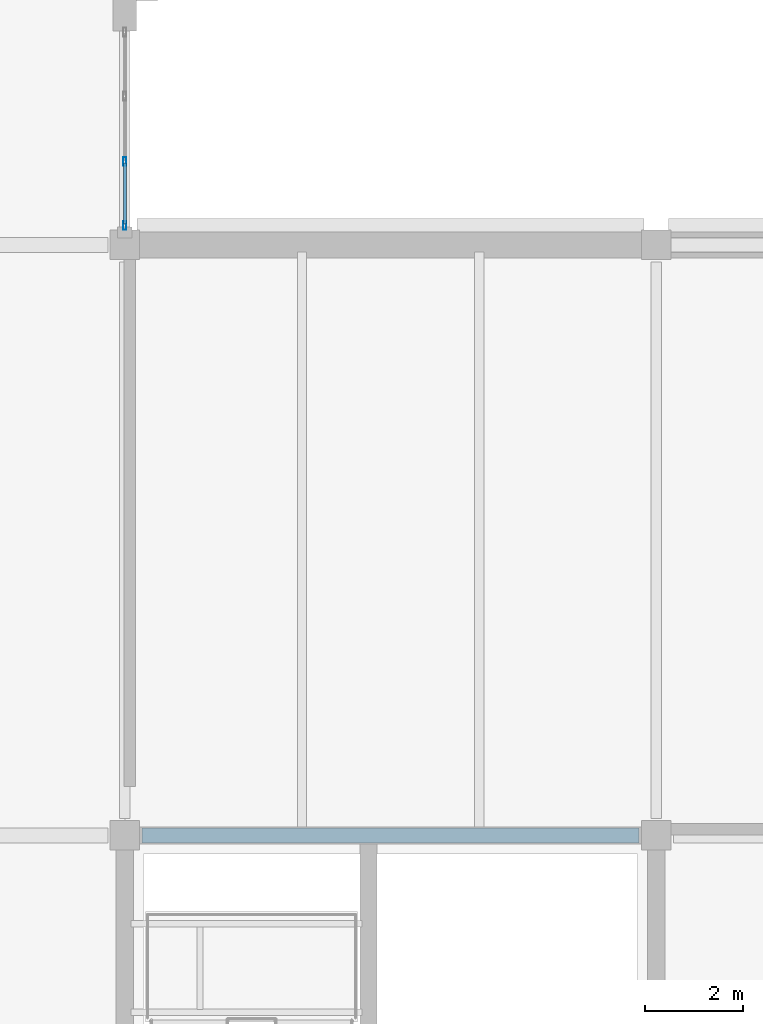
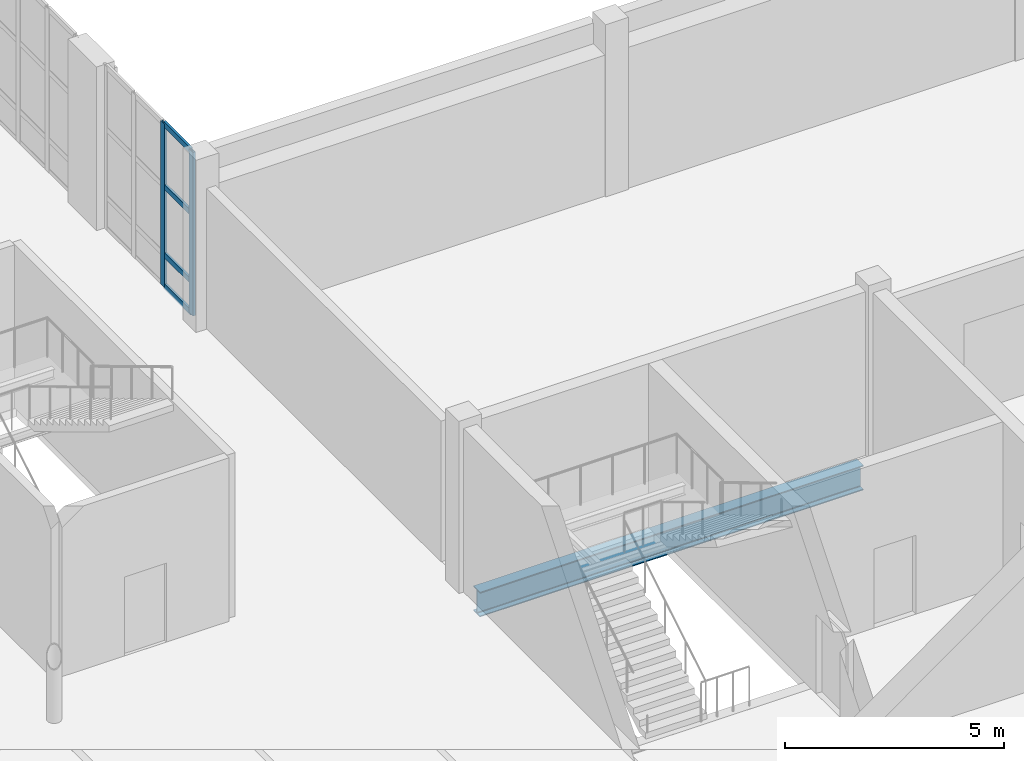
# One storey, part 36 of 100: 6 members, 1 beam, 1 element without a shape of its own.
"""IFC4 building model written with IfcOpenShell, lengths in metres."""

from ifc_helpers import new_model, si_unit, direction, frame, origin, origin_2d, place, context, subcontext, project, spatial, hollow_rectangle, i_section, extrude, material, layer, layer_set, material_profile, profile_set, type_object, element, aggregate, save


model = new_model("IFC4")

# Units and contexts
model_context = context("Model", 3, precision=1e-05, world=origin(), true_north=direction((0.0, 1.0)))
body_context = subcontext(model_context, "Body", "Model", "MODEL_VIEW")
ifc_project = project(units=[si_unit("LENGTHUNIT", "METRE"), si_unit("AREAUNIT", "SQUARE_METRE"), si_unit("VOLUMEUNIT", "CUBIC_METRE"), si_unit("PLANEANGLEUNIT", "RADIAN"), si_unit("MASSUNIT", "GRAM", prefix="KILO")], contexts=[model_context])

# Site, building, storey
site_placement = place(None, origin())
site = spatial("IfcSite", under=ifc_project, at=site_placement, CompositionType="ELEMENT")
building_placement = place(site_placement, origin())
building = spatial("IfcBuilding", under=site, at=building_placement, Name="Tasgan Crest Museum", CompositionType="ELEMENT")
storey_placement = place(building_placement, frame((0.0, 0.0, 9.60009765625)))
storey = spatial("IfcBuildingStorey", under=building, at=storey_placement, Name="L02", CompositionType="ELEMENT", Elevation=9.60009765625)

# Beam
ifc_material_1 = material(Name="Steel S355K2", Category="steel")
ifc_material_profile_1 = material_profile(ifc_material_1, i_section(OverallWidth=0.300048828125, OverallDepth=0.68994140625, WebThickness=0.014404296875, FlangeThickness=0.027099609375, FilletRadius=0.027099609375, at=origin_2d()), Name="HEA 700")
ifc_profile_set_1 = profile_set([ifc_material_profile_1], Name="Steel S355K2")
beam_type = type_object("IfcBeamType", Name="BM-G-HEA700", PredefinedType="BEAM", material=ifc_profile_set_1)
beam_placement = place(storey_placement, frame((108.345947265625, 50.0, -0.625), z_axis=(1.0, 0.0, 0.0), x_axis=(0.0, 1.0, 0.0)))
element("IfcBeam", 1, at=beam_placement, inside=storey, type_object=beam_type, Name="Girder L02 F 108.0-118.8", PredefinedType="BEAM", context=body_context, shape_type="SweptSolid", body=[
    extrude(i_section(OverallWidth=0.300048828125, OverallDepth=0.68994140625, WebThickness=0.014404296875, FlangeThickness=0.027099609375, FilletRadius=0.027099609375, at=origin_2d()), origin(), (0.0, 0.0, 1.0), 10.108154296875),
])

# Curtain wall, members
ifc_material_2 = material(Name="Triple-Glazed Aluminium Curtain Wall", Category="aluminium")
ifc_layer = layer(ifc_material_2, 0.179931640625, Name="CW-DRUM-Y10-48")
ifc_layer_set = layer_set([ifc_layer], Name="Triple-Glazed Aluminium Curtain Wall")
curtain_wall_type = type_object("IfcCurtainWallType", Name="CW-DRUM-Y10-48", PredefinedType="NOTDEFINED", material=ifc_layer_set)
curtain_wall_placement = place(storey_placement, origin())
curtain_wall = element("IfcCurtainWall", 2, at=curtain_wall_placement, inside=storey, type_object=curtain_wall_type, Name="Curtain wall L02 075", PredefinedType="NOTDEFINED")
ifc_material_3 = material(Name="Anodised Aluminium", Category="aluminium")
ifc_material_profile_2 = material_profile(ifc_material_3, hollow_rectangle(XDim=0.06494140625, YDim=0.179931640625, WallThickness=0.0048828125, at=origin_2d()), Name="ALU MULLION 180x65x5")
ifc_profile_set_2 = profile_set([ifc_material_profile_2], Name="Anodised Aluminium")
member_type_1 = type_object("IfcMemberType", Name="CW-MULLION-180", PredefinedType="MULLION", material=ifc_profile_set_2)
member_1_placement = place(storey_placement, frame((108.0, 62.39501953125, 0.0), z_axis=(0.0, 0.0, 1.0), x_axis=(-1.0, 0.0, 0.0)))
member_1 = element("IfcMember", 3, at=member_1_placement, type_object=member_type_1, Name="CW04 mullion 1", PredefinedType="MULLION", context=body_context, shape_type="SweptSolid", body=[
    extrude(hollow_rectangle(XDim=0.06494140625, YDim=0.179931640625, WallThickness=0.0048828125, at=origin_2d()), origin(), (0.0, 0.0, 1.0), 4.559814453125),
])
member_2_placement = place(storey_placement, frame((108.0, 63.695068359375, 0.0), z_axis=(0.0, 0.0, 1.0), x_axis=(-1.0, 0.0, 0.0)))
member_2 = element("IfcMember", 4, at=member_2_placement, type_object=member_type_1, Name="CW04 mullion 2", PredefinedType="MULLION", context=body_context, shape_type="SweptSolid", body=[
    extrude(hollow_rectangle(XDim=0.06494140625, YDim=0.179931640625, WallThickness=0.0048828125, at=origin_2d()), origin(), (0.0, 0.0, 1.0), 4.559814453125),
])
ifc_material_4 = material(Name="Anodised Aluminium", Category="aluminium")
ifc_material_profile_3 = material_profile(ifc_material_4, hollow_rectangle(XDim=0.06005859375, YDim=0.14990234375, WallThickness=0.0048828125, at=origin_2d()), Name="ALU TRANSOM 150x60x5")
ifc_profile_set_3 = profile_set([ifc_material_profile_3], Name="Anodised Aluminium")
member_type_2 = type_object("IfcMemberType", Name="CW-TRANSOM-150", PredefinedType="USERDEFINED", material=ifc_profile_set_3)
member_3_placement = place(storey_placement, frame((108.0, 62.425048828125, 0.02978515625), z_axis=(0.0, 1.0, 0.0), x_axis=(-1.0, 0.0, 0.0)))
member_3 = element("IfcMember", 5, at=member_3_placement, type_object=member_type_2, Name="CW04 transom 1.1", ObjectType="TRANSOM", PredefinedType="USERDEFINED", context=body_context, shape_type="SweptSolid", body=[
    extrude(hollow_rectangle(XDim=0.06005859375, YDim=0.14990234375, WallThickness=0.0048828125, at=origin_2d()), origin(), (0.0, 0.0, 1.0), 1.239990234375),
])
member_4_placement = place(storey_placement, frame((108.0, 62.425048828125, 0.89990234375), z_axis=(0.0, 1.0, 0.0), x_axis=(-1.0, 0.0, 0.0)))
member_4 = element("IfcMember", 6, at=member_4_placement, type_object=member_type_2, Name="CW04 transom 1.2", ObjectType="TRANSOM", PredefinedType="USERDEFINED", context=body_context, shape_type="SweptSolid", body=[
    extrude(hollow_rectangle(XDim=0.06005859375, YDim=0.14990234375, WallThickness=0.0048828125, at=origin_2d()), origin(), (0.0, 0.0, 1.0), 1.239990234375),
])
member_5_placement = place(storey_placement, frame((108.0, 62.425048828125, 2.7998046875), z_axis=(0.0, 1.0, 0.0), x_axis=(-1.0, 0.0, 0.0)))
member_5 = element("IfcMember", 7, at=member_5_placement, type_object=member_type_2, Name="CW04 transom 1.3", ObjectType="TRANSOM", PredefinedType="USERDEFINED", context=body_context, shape_type="SweptSolid", body=[
    extrude(hollow_rectangle(XDim=0.06005859375, YDim=0.14990234375, WallThickness=0.0048828125, at=origin_2d()), origin(), (0.0, 0.0, 1.0), 1.239990234375),
])
member_6_placement = place(storey_placement, frame((108.0, 62.425048828125, 4.52978515625), z_axis=(0.0, 1.0, 0.0), x_axis=(-1.0, 0.0, 0.0)))
member_6 = element("IfcMember", 8, at=member_6_placement, type_object=member_type_2, Name="CW04 transom 1.4", ObjectType="TRANSOM", PredefinedType="USERDEFINED", context=body_context, shape_type="SweptSolid", body=[
    extrude(hollow_rectangle(XDim=0.06005859375, YDim=0.14990234375, WallThickness=0.0048828125, at=origin_2d()), origin(), (0.0, 0.0, 1.0), 1.239990234375),
])
aggregate(curtain_wall, [member_1, member_2, member_3, member_4, member_5, member_6])

save(model, "model.ifc")
